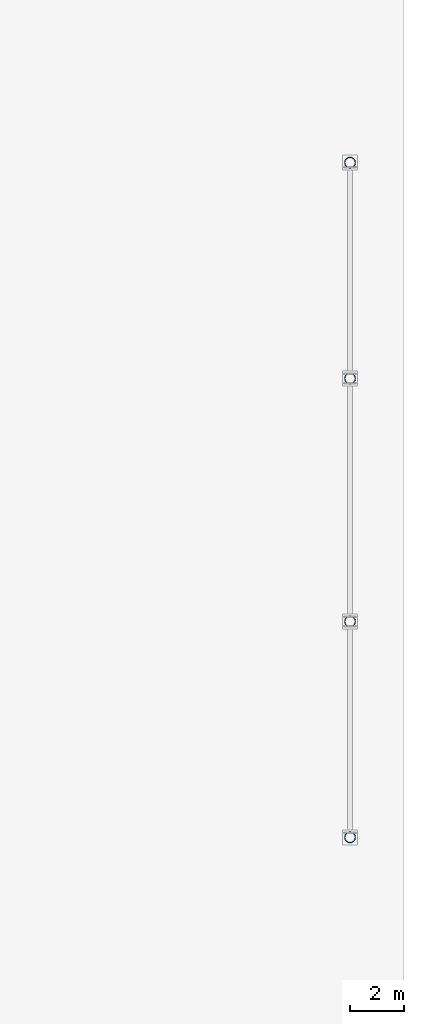
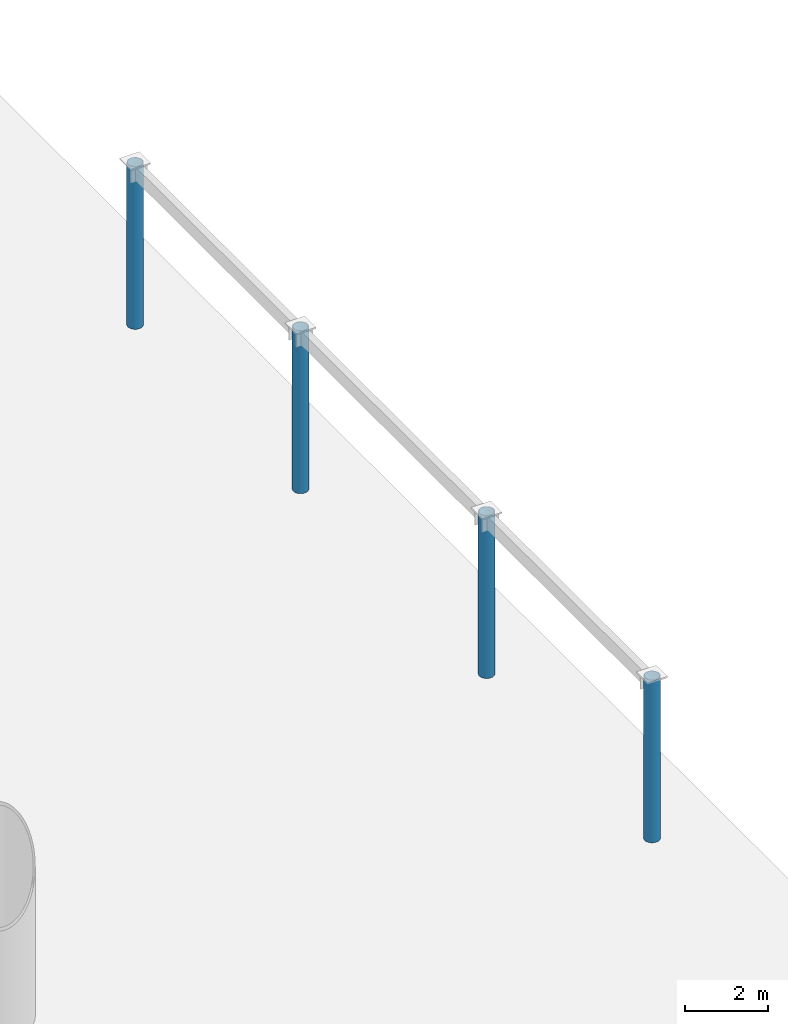
# One storey, part 4 of 46: 4 columns.
"""IFC4 building model written with IfcOpenShell, lengths in metres."""

import ifcopenshell
import ifcopenshell.guid

model = None  # the IFC model being written
_history = None  # IfcOwnerHistory: only IFC2X3 demands one
_inside = {}  # id of a spatial element -> (the spatial element, [elements in it])
_under = {}  # id of a project, library or spatial element -> (it, [spatial elements below it])
_declared = {}  # id of a project -> (the project, [libraries it declares])
_typed = {}  # id of a type object -> (the type object, [elements of that type])
_made_of = {}  # id of a material, layer set ... -> (it, [elements and type objects made of it])


def new_model(schema):
    """Start an empty IFC model of exactly this schema.

    Asked for "IFC4X3", IfcOpenShell would pick the latest addendum, in which some entities
    have other attributes; the version numbers below select the first issue.
    IFC2X3 requires an IfcOwnerHistory on every rooted entity: one is made here for all.
    """
    global model, _history
    if schema == "IFC4X3":
        model = ifcopenshell.file(schema_version=(4, 3, 0, 0))
    else:
        model = ifcopenshell.file(schema=schema)
    _inside.clear()
    _under.clear()
    _declared.clear()
    _typed.clear()
    _made_of.clear()
    _history = None
    if model.schema == "IFC2X3":
        org = make("IfcOrganization", Name="unknown")
        user = make(
            "IfcPersonAndOrganization",
            ThePerson=make("IfcPerson", FamilyName="unknown"),
            TheOrganization=org,
        )
        app = make(
            "IfcApplication",
            ApplicationDeveloper=org,
            Version="unknown",
            ApplicationFullName="unknown",
            ApplicationIdentifier="unknown",
        )
        _history = make(
            "IfcOwnerHistory",
            OwningUser=user,
            OwningApplication=app,
            ChangeAction="ADDED",
            CreationDate=0,
        )
    return model


def make(cls, **values):
    """One entity of the class cls with the attributes given. An attribute that is None is left unset."""
    return model.create_entity(
        cls, **{name: value for name, value in values.items() if value is not None}
    )


def rooted(cls, **values):
    """An entity with a GlobalId (a new one), such as an element, a storey or a relation."""
    return make(cls, GlobalId=ifcopenshell.guid.new(), OwnerHistory=_history, **values)


def si_unit(unit_type, name, prefix=None):
    """IfcSIUnit, for example si_unit("LENGTHUNIT", "METRE", prefix="MILLI")."""
    return make("IfcSIUnit", UnitType=unit_type, Prefix=prefix, Name=name)


def assignment(units):
    """IfcUnitAssignment: the units of a project."""
    return None if units is None else make("IfcUnitAssignment", Units=units)


def point(xyz):
    """IfcCartesianPoint."""
    return None if xyz is None else make("IfcCartesianPoint", Coordinates=xyz)


def direction(xyz):
    """IfcDirection."""
    return None if xyz is None else make("IfcDirection", DirectionRatios=xyz)


def frame(location, z_axis=None, x_axis=None):
    """IfcAxis2Placement3D, a coordinate frame: its origin and axes. An axis left out is left unset."""
    return make(
        "IfcAxis2Placement3D",
        Location=point(location),
        Axis=direction(z_axis),
        RefDirection=direction(x_axis),
    )


def frame_2d(location, x_axis=None):
    """IfcAxis2Placement2D, a coordinate frame in the plane: its origin and x axis."""
    return make(
        "IfcAxis2Placement2D", Location=point(location), RefDirection=direction(x_axis)
    )


def origin():
    """The frame at (0, 0, 0) with its axes left unset."""
    return frame((0.0, 0.0, 0.0))


def origin_2d():
    """The frame at (0, 0) in the plane with its x axis left unset."""
    return frame_2d((0.0, 0.0))


def place(relative_to, where):
    """IfcLocalPlacement: puts the frame where relative to a parent placement (None: the world)."""
    return make(
        "IfcLocalPlacement", PlacementRelTo=relative_to, RelativePlacement=where
    )


def context(
    kind, dimensions, precision=None, world=None, true_north=None, identifier=None
):
    """IfcGeometricRepresentationContext, for example the 3D "Model" context."""
    return make(
        "IfcGeometricRepresentationContext",
        ContextIdentifier=identifier,
        ContextType=kind,
        CoordinateSpaceDimension=dimensions,
        Precision=precision,
        WorldCoordinateSystem=world,
        TrueNorth=true_north,
    )


def subcontext(parent, identifier, kind, view, scale=None):
    """IfcGeometricRepresentationSubContext, for example "Body" below "Model"."""
    return make(
        "IfcGeometricRepresentationSubContext",
        ContextIdentifier=identifier,
        ContextType=kind,
        ParentContext=parent,
        TargetScale=scale,
        TargetView=view,
    )


def project(units=None, contexts=None):
    """IfcProject with its units and contexts."""
    return rooted(
        "IfcProject",
        Name="project",
        RepresentationContexts=contexts,
        UnitsInContext=assignment(units),
    )


def spatial(cls, under=None, at=None, **own):
    """A site, building, storey or space (cls), placed at a placement, below another one or the project."""
    s = rooted(cls, ObjectPlacement=at, **own)
    if under is not None:
        _under.setdefault(under.id(), (under, []))[1].append(s)
    return s


def profile(cls, at=None, kind="AREA", **sizes):
    """A parametric profile (cls). Its sizes go by their IFC names, for example OverallWidth=200.0."""
    return make(cls, ProfileType=kind, Position=at, **sizes)


def hollow_circle(**sizes):
    """IfcCircleHollowProfileDef."""
    return profile("IfcCircleHollowProfileDef", **sizes)


def extrude(swept, where, along, depth):
    """IfcExtrudedAreaSolid: the profile swept, set in the frame where, extruded along a direction by depth."""
    return make(
        "IfcExtrudedAreaSolid",
        SweptArea=swept,
        Position=where,
        ExtrudedDirection=direction(along),
        Depth=depth,
    )


def shape(context_of_items, identifier, shape_type, items):
    """IfcShapeRepresentation: the items that make up one representation, for example the "Body"."""
    return make(
        "IfcShapeRepresentation",
        ContextOfItems=context_of_items,
        RepresentationIdentifier=identifier,
        RepresentationType=shape_type,
        Items=items,
    )


def material(Name=None, Category=None):
    """IfcMaterial."""
    return make("IfcMaterial", Name=Name, Category=Category)


def material_profile(
    of_material, cross_section, Name=None, Category=None, Priority=None
):
    """IfcMaterialProfile: a cross section and its material."""
    return make(
        "IfcMaterialProfile",
        Name=Name,
        Material=of_material,
        Profile=cross_section,
        Priority=Priority,
        Category=Category,
    )


def profile_set(profiles, Name=None, composite=None):
    """IfcMaterialProfileSet."""
    return make(
        "IfcMaterialProfileSet",
        Name=Name,
        MaterialProfiles=profiles,
        CompositeProfile=composite,
    )


def made_of(thing, what):
    """Note that an element or type object is made of a material, layer set ...; save() writes the relation."""
    if what is not None:
        _made_of.setdefault(what.id(), (what, []))[1].append(thing)
    return thing


def type_object(cls, material=None, **own):
    """A type object (cls), such as IfcWallType, which elements share."""
    return made_of(rooted(cls, **own), material)


def element(
    cls,
    number,
    at=None,
    inside=None,
    cuts=None,
    type_object=None,
    material=None,
    context=None,
    identifier="Body",
    shape_type=None,
    held_by="IfcProductDefinitionShape",
    body=None,
    shapes=None,
    **own,
):
    """One element of the class cls, such as IfcWall. Its Tag is "e" and its number.

    at: its placement. inside: the storey or other place that contains it. cuts: it is an
    opening in that element (IfcRelVoidsElement). A single representation is given by context,
    identifier, shape_type and body (its items); several are given by shapes. held_by: the class
    of the entity that holds the representations. save() writes the other relations.
    """
    e = rooted(cls, Tag="e%d" % number, ObjectPlacement=at, **own)
    if body is not None:
        shapes = [shape(context, identifier, shape_type, body)]
    if shapes is not None:
        e.Representation = make(held_by, Representations=shapes)
    if inside is not None:
        _inside.setdefault(inside.id(), (inside, []))[1].append(e)
    if cuts is not None:
        rooted(
            "IfcRelVoidsElement", RelatingBuildingElement=cuts, RelatedOpeningElement=e
        )
    if type_object is not None:
        _typed.setdefault(type_object.id(), (type_object, []))[1].append(e)
    return made_of(e, material)


def aggregate(whole, parts):
    """IfcRelAggregates: a whole, such as a stair, and the parts it consists of."""
    return rooted("IfcRelAggregates", RelatingObject=whole, RelatedObjects=parts)


def save(model, path):
    """Write the relations noted so far, then the file.

    IfcRelAggregates (storeys below a building ...), IfcRelContainedInSpatialStructure (elements
    in a storey), IfcRelDefinesByType, IfcRelAssociatesMaterial and IfcRelDeclares: one each for
    every whole, place, type object, material and project.
    """
    for whole, parts in _under.values():
        aggregate(whole, parts)
    for where, things in _inside.values():
        rooted(
            "IfcRelContainedInSpatialStructure",
            RelatedElements=things,
            RelatingStructure=where,
        )
    for kind, things in _typed.values():
        rooted("IfcRelDefinesByType", RelatedObjects=things, RelatingType=kind)
    for what, things in _made_of.values():
        rooted("IfcRelAssociatesMaterial", RelatedObjects=things, RelatingMaterial=what)
    for by, libraries in _declared.values():
        rooted("IfcRelDeclares", RelatingContext=by, RelatedDefinitions=libraries)
    model.write(path)


model = new_model("IFC4")

# Units and contexts
model_context = context("Model", 3, precision=1e-05, world=origin(), true_north=direction((0.0, 1.0)))
body_context = subcontext(model_context, "Body", "Model", "MODEL_VIEW")
ifc_project = project(units=[si_unit("LENGTHUNIT", "METRE"), si_unit("AREAUNIT", "SQUARE_METRE"), si_unit("VOLUMEUNIT", "CUBIC_METRE"), si_unit("PLANEANGLEUNIT", "RADIAN"), si_unit("MASSUNIT", "GRAM", prefix="KILO")], contexts=[model_context])

# Site, building, storey
site_placement = place(None, origin())
site = spatial("IfcSite", under=ifc_project, at=site_placement, CompositionType="ELEMENT")
building_placement = place(site_placement, origin())
building = spatial("IfcBuilding", under=site, at=building_placement, Name="Linh Dai School and Residence Tower", CompositionType="ELEMENT")
storey_placement = place(building_placement, origin())
storey = spatial("IfcBuildingStorey", under=building, at=storey_placement, Name="L00", CompositionType="ELEMENT", Elevation=0.0)

# Columns
ifc_material = material(Name="Structural Steel S355JR", Category="steel")
ifc_material_profile = material_profile(ifc_material, hollow_circle(Radius=0.203125, WallThickness=0.01611328125, at=origin_2d()), Name="CHS 406.4x16")
ifc_profile_set = profile_set([ifc_material_profile], Name="Structural Steel S355JR")
column_type = type_object("IfcColumnType", Name="COL-EC", PredefinedType="COLUMN", material=ifc_profile_set)
for number, where, z_axis, x_axis, name in (
    (1, (82.0, 14.5, 0.0), (0.0, 0.0, 1.0), (1.0, 0.0, 0.0), "L00 East Arrival Canopy Pier EC1"),
    (2, (82.0, 22.5, 0.0), (0.0, 0.0, 1.0), (1.0, 0.0, 0.0), "L00 East Arrival Canopy Pier EC2"),
    (3, (82.0, 31.5, 0.0), (0.0, 0.0, 1.0), (1.0, 0.0, 0.0), "L00 East Arrival Canopy Pier EC3"),
    (4, (82.0, 39.5, 0.0), (0.0, 0.0, 1.0), (1.0, 0.0, 0.0), "L00 East Arrival Canopy Pier EC4"),
):
    element("IfcColumn", number, at=place(storey_placement, frame(where, z_axis=z_axis, x_axis=x_axis)), inside=storey, type_object=column_type, Name=name, PredefinedType="COLUMN", context=body_context, shape_type="SweptSolid", body=[
        extrude(hollow_circle(Radius=0.203125, WallThickness=0.01611328125, at=origin_2d()), origin(), (0.0, 0.0, 1.0), 4.800048828125),
    ])

save(model, "model.ifc")
